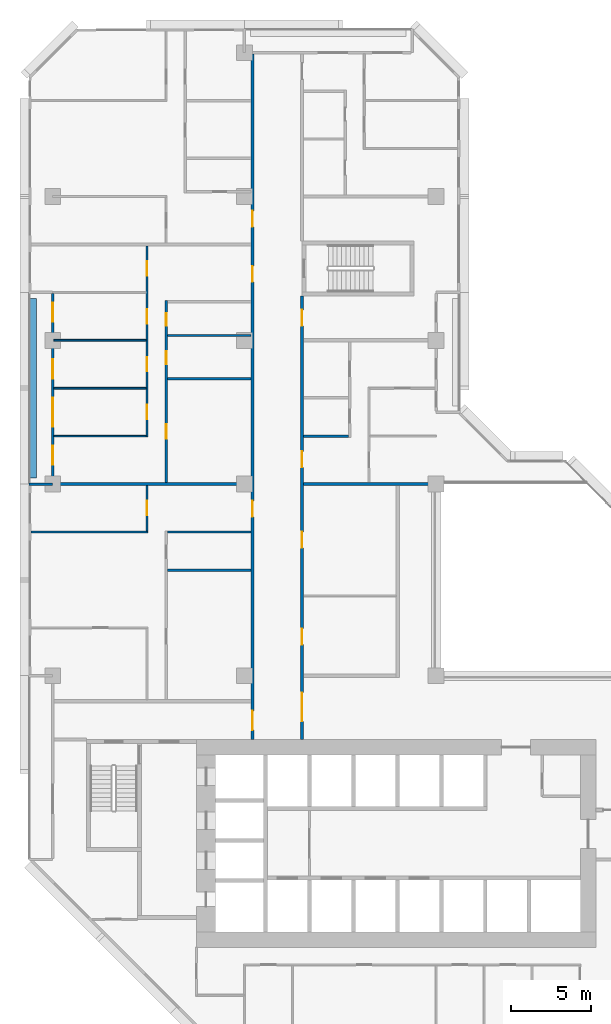
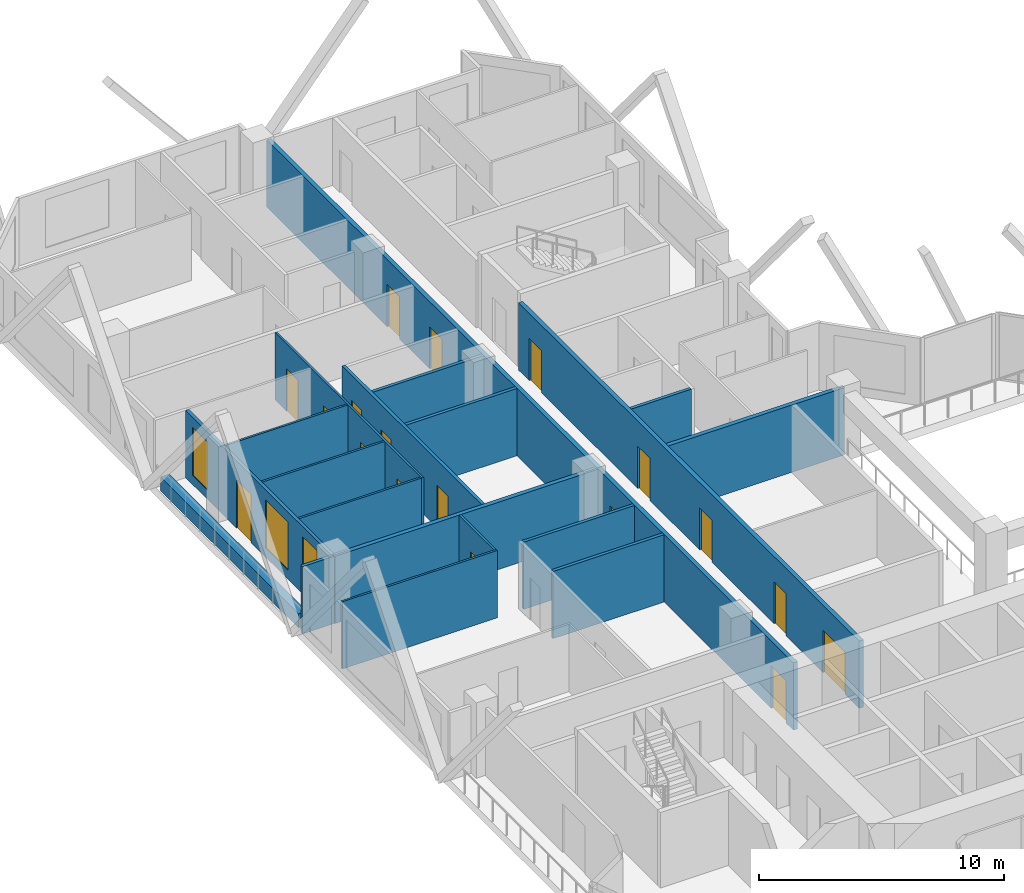
# One storey, part 9 of 16: 19 walls, 18 doors, 3 windows, 21 openings.
"""IFC4 building model written with IfcOpenShell, lengths in metres."""

from ifc_helpers import new_model, si_unit, direction, frame, frame_2d, origin, place, context, subcontext, project, spatial, rectangle, extrude, material, layer, layer_set, type_object, element, fill, save


model = new_model("IFC4")

# Units and contexts
model_context = context("Model", 3, precision=1e-05, world=origin(), true_north=direction((0.0, 1.0)))
body_context = subcontext(model_context, "Body", "Model", "MODEL_VIEW")
ifc_project = project(units=[si_unit("LENGTHUNIT", "METRE"), si_unit("AREAUNIT", "SQUARE_METRE"), si_unit("VOLUMEUNIT", "CUBIC_METRE"), si_unit("PLANEANGLEUNIT", "RADIAN"), si_unit("MASSUNIT", "GRAM", prefix="KILO")], contexts=[model_context])

# Site, building, storey
site_placement = place(None, origin())
site = spatial("IfcSite", under=ifc_project, at=site_placement, CompositionType="ELEMENT")
building_placement = place(site_placement, origin())
building = spatial("IfcBuilding", under=site, at=building_placement, Name="Chenar Terraces", CompositionType="ELEMENT")
storey_placement = place(building_placement, frame((0.0, 0.0, 99.39990234375)))
storey = spatial("IfcBuildingStorey", under=building, at=storey_placement, Name="L22", CompositionType="ELEMENT", Elevation=99.39990234375)

# Wall, openings, doors
ifc_material_1 = material(Name="Gypsum board on steel studs with fire boards", Category="steel")
ifc_layer_1 = layer(ifc_material_1, 0.199951171875)
ifc_layer_set_1 = layer_set([ifc_layer_1], Name="Gypsum board on steel studs with fire boards")
wall_type_1 = type_object("IfcWallType", Name="Corridor wall 200", PredefinedType="PARTITIONING", material=ifc_layer_set_1)
wall_1_placement = place(storey_placement, frame((12.5, 20.0, 0.0), z_axis=(0.0, 0.0, 1.0), x_axis=(0.0, 1.0, 0.0)))
wall_1 = element("IfcWall", 1, at=wall_1_placement, inside=storey, type_object=wall_type_1, Name="Partition L22-034", PredefinedType="PARTITIONING", context=body_context, shape_type="SweptSolid", body=[
    extrude(rectangle(XDim=42.926025390625, YDim=0.199951171875, at=frame_2d((21.462890625, 0.0))), origin(), (0.0, 0.0, 1.0), 3.35009765625),
])
opening_1_placement = place(wall_1_placement, frame((28.64990234375, 0.0, 0.0)))
opening_1 = element("IfcOpeningElement", 2, at=opening_1_placement, cuts=wall_1, Name="Opening DL22-40", PredefinedType="OPENING", context=body_context, shape_type="SweptSolid", body=[
    extrude(rectangle(XDim=1.0, YDim=2.10009765625, at=frame_2d((0.5, 1.050048828125))), frame((0.0, 0.10986328125, 0.0), z_axis=(0.0, -1.0, 0.0), x_axis=(1.0, 0.0, 0.0)), (0.0, 0.0, 1.0), 0.219970703125),
])
opening_2_placement = place(wall_1_placement, frame((32.10009765625, 0.0, 0.0)))
opening_2 = element("IfcOpeningElement", 3, at=opening_2_placement, cuts=wall_1, Name="Opening DL22-46", PredefinedType="OPENING", context=body_context, shape_type="SweptSolid", body=[
    extrude(rectangle(XDim=1.0, YDim=2.10009765625, at=frame_2d((0.5, 1.050048828125))), frame((0.0, 0.10986328125, 0.0), z_axis=(0.0, -1.0, 0.0), x_axis=(1.0, 0.0, 0.0)), (0.0, 0.0, 1.0), 0.219970703125),
])
opening_3_placement = place(wall_1_placement, frame((0.60009765625, 0.0, 0.0)))
opening_3 = element("IfcOpeningElement", 4, at=opening_3_placement, cuts=wall_1, Name="Opening DL22-50", PredefinedType="OPENING", context=body_context, shape_type="SweptSolid", body=[
    extrude(rectangle(XDim=1.199951171875, YDim=2.10009765625, at=frame_2d((0.60009765625, 1.050048828125))), frame((0.0, 0.10986328125, 0.0), z_axis=(0.0, -1.0, 0.0), x_axis=(1.0, 0.0, 0.0)), (0.0, 0.0, 1.0), 0.219970703125),
])
opening_4_placement = place(wall_1_placement, frame((13.949951171875, 0.0, 0.0)))
opening_4 = element("IfcOpeningElement", 5, at=opening_4_placement, cuts=wall_1, Name="Opening DL22-73", PredefinedType="OPENING", context=body_context, shape_type="SweptSolid", body=[
    extrude(rectangle(XDim=1.0, YDim=2.10009765625, at=frame_2d((0.5, 1.050048828125))), frame((0.0, 0.10986328125, 0.0), z_axis=(0.0, -1.0, 0.0), x_axis=(1.0, 0.0, 0.0)), (0.0, 0.0, 1.0), 0.219970703125),
])
ifc_material_2 = material(Name="Steel-framed fire-resisting door leaf", Category="steel")
door_type_1 = type_object("IfcDoorType", Name="Fire door FD30S 1000 x 2100", OperationType="SINGLE_SWING_LEFT", PredefinedType="DOOR", material=ifc_material_2)
door_1_placement = place(opening_1_placement, origin())
door_1 = element("IfcDoor", 6, at=door_1_placement, inside=storey, type_object=door_type_1, Name="Door DL22-40", OperationType="SINGLE_SWING_LEFT", OverallHeight=2.10009765625, OverallWidth=1.0, PredefinedType="DOOR", context=body_context, shape_type="SweptSolid", body=[
    extrude(rectangle(XDim=1.0, YDim=2.10009765625, at=frame_2d((0.5, 1.050048828125))), frame((0.0, 0.02490234375, 0.0), z_axis=(0.0, -1.0, 0.0), x_axis=(1.0, 0.0, 0.0)), (0.0, 0.0, 1.0), 0.050048828125),
])
fill(opening_1, door_1)
door_2_placement = place(opening_2_placement, origin())
door_2 = element("IfcDoor", 7, at=door_2_placement, inside=storey, type_object=door_type_1, Name="Door DL22-46", OperationType="SINGLE_SWING_RIGHT", OverallHeight=2.10009765625, OverallWidth=1.0, PredefinedType="DOOR", context=body_context, shape_type="SweptSolid", body=[
    extrude(rectangle(XDim=1.0, YDim=2.10009765625, at=frame_2d((0.5, 1.050048828125))), frame((0.0, 0.02490234375, 0.0), z_axis=(0.0, -1.0, 0.0), x_axis=(1.0, 0.0, 0.0)), (0.0, 0.0, 1.0), 0.050048828125),
])
fill(opening_2, door_2)
door_3_placement = place(opening_4_placement, origin())
door_3 = element("IfcDoor", 8, at=door_3_placement, inside=storey, type_object=door_type_1, Name="Door DL22-73", OperationType="SINGLE_SWING_RIGHT", OverallHeight=2.10009765625, OverallWidth=1.0, PredefinedType="DOOR", context=body_context, shape_type="SweptSolid", body=[
    extrude(rectangle(XDim=1.0, YDim=2.10009765625, at=frame_2d((0.5, 1.050048828125))), frame((0.0, 0.02490234375, 0.0), z_axis=(0.0, -1.0, 0.0), x_axis=(1.0, 0.0, 0.0)), (0.0, 0.0, 1.0), 0.050048828125),
])
fill(opening_4, door_3)
ifc_material_3 = material(Name="Steel-framed fire-resisting door leaf", Category="steel")
door_type_2 = type_object("IfcDoorType", Name="Fire door FD30S 1200 x 2100", OperationType="SINGLE_SWING_LEFT", PredefinedType="DOOR", material=ifc_material_3)
door_4_placement = place(opening_3_placement, origin())
door_4 = element("IfcDoor", 9, at=door_4_placement, inside=storey, type_object=door_type_2, Name="Door DL22-50", OperationType="SINGLE_SWING_RIGHT", OverallHeight=2.10009765625, OverallWidth=1.199951171875, PredefinedType="DOOR", context=body_context, shape_type="SweptSolid", body=[
    extrude(rectangle(XDim=1.199951171875, YDim=2.10009765625, at=frame_2d((0.60009765625, 1.050048828125))), frame((0.0, 0.02490234375, 0.0), z_axis=(0.0, -1.0, 0.0), x_axis=(1.0, 0.0, 0.0)), (0.0, 0.0, 1.0), 0.050048828125),
])
fill(opening_3, door_4)

wall_2_placement = place(storey_placement, frame((15.60009765625, 20.0, 0.0), z_axis=(0.0, 0.0, 1.0), x_axis=(0.0, 1.0, 0.0)))
wall_2 = element("IfcWall", 10, at=wall_2_placement, inside=storey, type_object=wall_type_1, Name="Partition L22-036", PredefinedType="PARTITIONING", context=body_context, shape_type="SweptSolid", body=[
    extrude(rectangle(XDim=27.77490234375, YDim=0.199951171875, at=frame_2d((13.887451171875, 0.0))), origin(), (0.0, 0.0, 1.0), 3.35009765625),
])
opening_5_placement = place(wall_2_placement, frame((5.949951171875, 0.0, 0.0)))
opening_5 = element("IfcOpeningElement", 11, at=opening_5_placement, cuts=wall_2, Name="Opening DL22-1", PredefinedType="OPENING", context=body_context, shape_type="SweptSolid", body=[
    extrude(rectangle(XDim=1.0, YDim=2.10009765625, at=frame_2d((0.5, 1.050048828125))), frame((0.0, 0.10986328125, 0.0), z_axis=(0.0, -1.0, 0.0), x_axis=(1.0, 0.0, 0.0)), (0.0, 0.0, 1.0), 0.219970703125),
])
opening_6_placement = place(wall_2_placement, frame((12.0, 0.0, 0.0)))
opening_6 = element("IfcOpeningElement", 12, at=opening_6_placement, cuts=wall_2, Name="Opening DL22-2", PredefinedType="OPENING", context=body_context, shape_type="SweptSolid", body=[
    extrude(rectangle(XDim=1.0, YDim=2.10009765625, at=frame_2d((0.5, 1.050048828125))), frame((0.0, 0.10986328125, 0.0), z_axis=(0.0, -1.0, 0.0), x_axis=(1.0, 0.0, 0.0)), (0.0, 0.0, 1.0), 0.219970703125),
])
opening_7_placement = place(wall_2_placement, frame((17.050048828125, 0.0, 0.0)))
opening_7 = element("IfcOpeningElement", 13, at=opening_7_placement, cuts=wall_2, Name="Opening DL22-28", PredefinedType="OPENING", context=body_context, shape_type="SweptSolid", body=[
    extrude(rectangle(XDim=1.0, YDim=2.10009765625, at=frame_2d((0.5, 1.050048828125))), frame((0.0, 0.10986328125, 0.0), z_axis=(0.0, -1.0, 0.0), x_axis=(1.0, 0.0, 0.0)), (0.0, 0.0, 1.0), 0.219970703125),
])
opening_8_placement = place(wall_2_placement, frame((1.14990234375, 0.0, 0.0)))
opening_8 = element("IfcOpeningElement", 14, at=opening_8_placement, cuts=wall_2, Name="Opening DL22-49", PredefinedType="OPENING", context=body_context, shape_type="SweptSolid", body=[
    extrude(rectangle(XDim=1.800048828125, YDim=2.10009765625, at=frame_2d((0.89990234375, 1.050048828125))), frame((0.0, 0.10986328125, 0.0), z_axis=(0.0, -1.0, 0.0), x_axis=(1.0, 0.0, 0.0)), (0.0, 0.0, 1.0), 0.219970703125),
])
opening_9_placement = place(wall_2_placement, frame((25.89990234375, 0.0, 0.0)))
opening_9 = element("IfcOpeningElement", 15, at=opening_9_placement, cuts=wall_2, Name="Opening DL22-52", PredefinedType="OPENING", context=body_context, shape_type="SweptSolid", body=[
    extrude(rectangle(XDim=1.0, YDim=2.10009765625, at=frame_2d((0.5, 1.050048828125))), frame((0.0, 0.10986328125, 0.0), z_axis=(0.0, -1.0, 0.0), x_axis=(1.0, 0.0, 0.0)), (0.0, 0.0, 1.0), 0.219970703125),
])
ifc_material_4 = material(Name="Steel-framed fire-resisting door leaf", Category="steel")
door_type_3 = type_object("IfcDoorType", Name="Fire door FD60 1000 x 2100", OperationType="SINGLE_SWING_LEFT", PredefinedType="DOOR", material=ifc_material_4)
door_5_placement = place(opening_5_placement, frame((1.0, 0.0, 0.0), z_axis=(0.0, 0.0, 1.0), x_axis=(-1.0, 0.0, 0.0)))
door_5 = element("IfcDoor", 16, at=door_5_placement, inside=storey, type_object=door_type_3, Name="Door DL22-1", OperationType="SINGLE_SWING_LEFT", OverallHeight=2.10009765625, OverallWidth=1.0, PredefinedType="DOOR", context=body_context, shape_type="SweptSolid", body=[
    extrude(rectangle(XDim=1.0, YDim=2.10009765625, at=frame_2d((0.5, 1.050048828125))), frame((0.0, 0.02490234375, 0.0), z_axis=(0.0, -1.0, 0.0), x_axis=(1.0, 0.0, 0.0)), (0.0, 0.0, 1.0), 0.050048828125),
])
fill(opening_5, door_5)
door_6_placement = place(opening_6_placement, frame((1.0, 0.0, 0.0), z_axis=(0.0, 0.0, 1.0), x_axis=(-1.0, 0.0, 0.0)))
door_6 = element("IfcDoor", 17, at=door_6_placement, inside=storey, type_object=door_type_3, Name="Door DL22-2", OperationType="SINGLE_SWING_LEFT", OverallHeight=2.10009765625, OverallWidth=1.0, PredefinedType="DOOR", context=body_context, shape_type="SweptSolid", body=[
    extrude(rectangle(XDim=1.0, YDim=2.10009765625, at=frame_2d((0.5, 1.050048828125))), frame((0.0, 0.02490234375, 0.0), z_axis=(0.0, -1.0, 0.0), x_axis=(1.0, 0.0, 0.0)), (0.0, 0.0, 1.0), 0.050048828125),
])
fill(opening_6, door_6)
door_7_placement = place(opening_7_placement, frame((1.0, 0.0, 0.0), z_axis=(0.0, 0.0, 1.0), x_axis=(-1.0, 0.0, 0.0)))
door_7 = element("IfcDoor", 18, at=door_7_placement, inside=storey, type_object=door_type_3, Name="Door DL22-28", OperationType="SINGLE_SWING_LEFT", OverallHeight=2.10009765625, OverallWidth=1.0, PredefinedType="DOOR", context=body_context, shape_type="SweptSolid", body=[
    extrude(rectangle(XDim=1.0, YDim=2.10009765625, at=frame_2d((0.5, 1.050048828125))), frame((0.0, 0.02490234375, 0.0), z_axis=(0.0, -1.0, 0.0), x_axis=(1.0, 0.0, 0.0)), (0.0, 0.0, 1.0), 0.050048828125),
])
fill(opening_7, door_7)
door_8_placement = place(opening_9_placement, frame((1.0, 0.0, 0.0), z_axis=(0.0, 0.0, 1.0), x_axis=(-1.0, 0.0, 0.0)))
door_8 = element("IfcDoor", 19, at=door_8_placement, inside=storey, type_object=door_type_3, Name="Door DL22-52", OperationType="SINGLE_SWING_RIGHT", OverallHeight=2.10009765625, OverallWidth=1.0, PredefinedType="DOOR", context=body_context, shape_type="SweptSolid", body=[
    extrude(rectangle(XDim=1.0, YDim=2.10009765625, at=frame_2d((0.5, 1.050048828125))), frame((0.0, 0.02490234375, 0.0), z_axis=(0.0, -1.0, 0.0), x_axis=(1.0, 0.0, 0.0)), (0.0, 0.0, 1.0), 0.050048828125),
])
fill(opening_9, door_8)
ifc_material_5 = material(Name="Steel-framed fire-resisting door leaf", Category="steel")
door_type_4 = type_object("IfcDoorType", Name="Fire double door FD60 1800 x 2100", OperationType="DOUBLE_DOOR_SINGLE_SWING", PredefinedType="DOOR", material=ifc_material_5)
door_9_placement = place(opening_8_placement, frame((1.800048828125, 0.0, 0.0), z_axis=(0.0, 0.0, 1.0), x_axis=(-1.0, 0.0, 0.0)))
door_9 = element("IfcDoor", 20, at=door_9_placement, inside=storey, type_object=door_type_4, Name="Door DL22-49", OperationType="DOUBLE_DOOR_SINGLE_SWING", OverallHeight=2.10009765625, OverallWidth=1.800048828125, PredefinedType="DOOR", context=body_context, shape_type="SweptSolid", body=[
    extrude(rectangle(XDim=1.800048828125, YDim=2.10009765625, at=frame_2d((0.89990234375, 1.050048828125))), frame((0.0, 0.02490234375, 0.0), z_axis=(0.0, -1.0, 0.0), x_axis=(1.0, 0.0, 0.0)), (0.0, 0.0, 1.0), 0.050048828125),
])
fill(opening_8, door_9)

# Wall, openings, windows, door
ifc_material_6 = material(Name="Aluminium framed glazing", Category="aluminium")
ifc_layer_2 = layer(ifc_material_6, 0.14990234375)
ifc_layer_set_2 = layer_set([ifc_layer_2], Name="Aluminium framed glazing")
wall_type_2 = type_object("IfcWallType", Name="Glazed loggia back wall 150", PredefinedType="SOLIDWALL", material=ifc_layer_set_2)
wall_3_placement = place(storey_placement, frame((0.0, 47.925048828125, 0.0), z_axis=(0.0, 0.0, 1.0), x_axis=(0.0, -1.0, 0.0)))
wall_3 = element("IfcWall", 21, at=wall_3_placement, inside=storey, type_object=wall_type_2, Name="Glazed loggia back wall", PredefinedType="SOLIDWALL", context=body_context, shape_type="SweptSolid", body=[
    extrude(rectangle(XDim=11.85009765625, YDim=0.14990234375, at=frame_2d((5.925048828125, 0.0))), origin(), (0.0, 0.0, 1.0), 3.35009765625),
])
opening_10_placement = place(wall_3_placement, frame((0.5625, 0.0, 0.449951171875)))
opening_10 = element("IfcOpeningElement", 22, at=opening_10_placement, cuts=wall_3, Name="Opening W120x240", PredefinedType="OPENING", context=body_context, shape_type="SweptSolid", body=[
    extrude(rectangle(XDim=1.199951171875, YDim=2.39990234375, at=frame_2d((0.60009765625, 1.199951171875))), frame((0.0, 0.0849609375, 0.0), z_axis=(0.0, -1.0, 0.0), x_axis=(1.0, 0.0, 0.0)), (0.0, 0.0, 1.0), 0.169921875),
])
opening_11_placement = place(wall_3_placement, frame((4.125, 0.0, 0.0)))
opening_11 = element("IfcOpeningElement", 23, at=opening_11_placement, cuts=wall_3, Name="Opening DL22-G4", PredefinedType="OPENING", context=body_context, shape_type="SweptSolid", body=[
    extrude(rectangle(XDim=1.199951171875, YDim=2.39990234375, at=frame_2d((0.60009765625, 1.199951171875))), frame((0.0, 0.0849609375, 0.0), z_axis=(0.0, -1.0, 0.0), x_axis=(1.0, 0.0, 0.0)), (0.0, 0.0, 1.0), 0.169921875),
])
opening_12_placement = place(wall_3_placement, frame((6.52490234375, 0.0, 0.449951171875)))
opening_12 = element("IfcOpeningElement", 24, at=opening_12_placement, cuts=wall_3, Name="Opening W180x240", PredefinedType="OPENING", context=body_context, shape_type="SweptSolid", body=[
    extrude(rectangle(XDim=1.800048828125, YDim=2.39990234375, at=frame_2d((0.89990234375, 1.199951171875))), frame((0.0, 0.0849609375, 0.0), z_axis=(0.0, -1.0, 0.0), x_axis=(1.0, 0.0, 0.0)), (0.0, 0.0, 1.0), 0.169921875),
])
opening_13_placement = place(wall_3_placement, frame((9.52490234375, 0.0, 0.449951171875)))
opening_13 = element("IfcOpeningElement", 25, at=opening_13_placement, cuts=wall_3, Name="Opening W120x240", PredefinedType="OPENING", context=body_context, shape_type="SweptSolid", body=[
    extrude(rectangle(XDim=1.199951171875, YDim=2.39990234375, at=frame_2d((0.60009765625, 1.199951171875))), frame((0.0, 0.0849609375, 0.0), z_axis=(0.0, -1.0, 0.0), x_axis=(1.0, 0.0, 0.0)), (0.0, 0.0, 1.0), 0.169921875),
])
ifc_material_7 = material(Name="Low emissivity double glazing, aluminium frame", Category="aluminium")
window_type_1 = type_object("IfcWindowType", Name="Fixed light 1200 x 2400", PartitioningType="SINGLE_PANEL", PredefinedType="WINDOW", material=ifc_material_7)
window_1_placement = place(opening_10_placement, origin())
window_1 = element("IfcWindow", 26, at=window_1_placement, inside=storey, type_object=window_type_1, Name="Window", OverallHeight=2.39990234375, OverallWidth=1.199951171875, PartitioningType="SINGLE_PANEL", PredefinedType="WINDOW", context=body_context, shape_type="SweptSolid", body=[
    extrude(rectangle(XDim=1.199951171875, YDim=2.39990234375, at=frame_2d((0.60009765625, 1.199951171875))), frame((0.0, 0.030029296875, 0.0), z_axis=(0.0, -1.0, 0.0), x_axis=(1.0, 0.0, 0.0)), (0.0, 0.0, 1.0), 0.06005859375),
])
fill(opening_10, window_1)
window_2_placement = place(opening_13_placement, origin())
window_2 = element("IfcWindow", 27, at=window_2_placement, inside=storey, type_object=window_type_1, Name="Window", OverallHeight=2.39990234375, OverallWidth=1.199951171875, PartitioningType="SINGLE_PANEL", PredefinedType="WINDOW", context=body_context, shape_type="SweptSolid", body=[
    extrude(rectangle(XDim=1.199951171875, YDim=2.39990234375, at=frame_2d((0.60009765625, 1.199951171875))), frame((0.0, 0.030029296875, 0.0), z_axis=(0.0, -1.0, 0.0), x_axis=(1.0, 0.0, 0.0)), (0.0, 0.0, 1.0), 0.06005859375),
])
fill(opening_13, window_2)
ifc_material_8 = material(Name="Low emissivity double glazing, aluminium frame", Category="aluminium")
window_type_2 = type_object("IfcWindowType", Name="Fixed light 1800 x 2400", PartitioningType="SINGLE_PANEL", PredefinedType="WINDOW", material=ifc_material_8)
window_3_placement = place(opening_12_placement, origin())
window_3 = element("IfcWindow", 28, at=window_3_placement, inside=storey, type_object=window_type_2, Name="Window", OverallHeight=2.39990234375, OverallWidth=1.800048828125, PartitioningType="SINGLE_PANEL", PredefinedType="WINDOW", context=body_context, shape_type="SweptSolid", body=[
    extrude(rectangle(XDim=1.800048828125, YDim=2.39990234375, at=frame_2d((0.89990234375, 1.199951171875))), frame((0.0, 0.030029296875, 0.0), z_axis=(0.0, -1.0, 0.0), x_axis=(1.0, 0.0, 0.0)), (0.0, 0.0, 1.0), 0.06005859375),
])
fill(opening_12, window_3)
ifc_material_9 = material(Name="Low emissivity double glazing, aluminium frame", Category="aluminium")
door_type_5 = type_object("IfcDoorType", Name="Loggia glazed double door 1200 x 2400", OperationType="DOUBLE_DOOR_SINGLE_SWING", PredefinedType="DOOR", material=ifc_material_9)
door_10_placement = place(opening_11_placement, frame((1.199951171875, 0.0, 0.0), z_axis=(0.0, 0.0, 1.0), x_axis=(-1.0, 0.0, 0.0)))
door_10 = element("IfcDoor", 29, at=door_10_placement, inside=storey, type_object=door_type_5, Name="Loggia glazed door", OperationType="DOUBLE_DOOR_SINGLE_SWING", OverallHeight=2.39990234375, OverallWidth=1.199951171875, PredefinedType="DOOR", context=body_context, shape_type="SweptSolid", body=[
    extrude(rectangle(XDim=1.199951171875, YDim=2.39990234375, at=frame_2d((0.60009765625, 1.199951171875))), frame((0.0, 0.02490234375, 0.0), z_axis=(0.0, -1.0, 0.0), x_axis=(1.0, 0.0, 0.0)), (0.0, 0.0, 1.0), 0.050048828125),
])
fill(opening_11, door_10)

# Walls
ifc_material_10 = material(Name="Gypsum board on steel studs", Category="steel")
ifc_layer_3 = layer(ifc_material_10, 0.10009765625)
ifc_layer_set_3 = layer_set([ifc_layer_3], Name="Gypsum board on steel studs")
wall_type_3 = type_object("IfcWallType", Name="Gypsum partition 100", PredefinedType="PARTITIONING", material=ifc_layer_set_3)
wall_4_placement = place(storey_placement, frame((-1.35009765625, 33.0, 0.0), z_axis=(0.0, 0.0, 1.0), x_axis=(1.0, 0.0, 0.0)))
element("IfcWall", 30, at=wall_4_placement, inside=storey, type_object=wall_type_3, Name="Partition L22-002", PredefinedType="PARTITIONING", context=body_context, shape_type="SweptSolid", body=[
    extrude(rectangle(XDim=7.300048828125, YDim=0.10009765625, at=frame_2d((3.64990234375, 0.0))), origin(), (0.0, 0.0, 1.0), 3.35009765625),
])
for number, where, z_axis, x_axis, name in (
    (31, (0.073974609375, 39.0, 0.0), (0.0, 0.0, 1.0), (1.0, 0.0, 0.0), "Partition L22-010"),
    (32, (0.073974609375, 42.0, 0.0), (0.0, 0.0, 1.0), (1.0, 0.0, 0.0), "Partition L22-011"),
    (33, (0.073974609375, 45.0, 0.0), (0.0, 0.0, 1.0), (1.0, 0.0, 0.0), "Partition L22-012"),
):
    element("IfcWall", number, at=place(storey_placement, frame(where, z_axis=z_axis, x_axis=x_axis)), inside=storey, type_object=wall_type_3, Name=name, PredefinedType="PARTITIONING", context=body_context, shape_type="SweptSolid", body=[
        extrude(rectangle(XDim=5.776123046875, YDim=0.10009765625, at=frame_2d((2.88818359375, 0.0))), origin(), (0.0, 0.0, 1.0), 3.35009765625),
    ])

# Wall, opening, door
wall_5_placement = place(storey_placement, frame((5.89990234375, 33.050048828125, 0.0), z_axis=(0.0, 0.0, 1.0), x_axis=(0.0, 1.0, 0.0)))
wall_5 = element("IfcWall", 34, at=wall_5_placement, inside=storey, type_object=wall_type_3, Name="Partition L22-015", PredefinedType="PARTITIONING", context=body_context, shape_type="SweptSolid", body=[
    extrude(rectangle(XDim=2.849853515625, YDim=0.10009765625, at=frame_2d((1.4248046875, 0.0))), origin(), (0.0, 0.0, 1.0), 3.35009765625),
])
opening_14_placement = place(wall_5_placement, frame((1.0, 0.0, 0.0)))
opening_14 = element("IfcOpeningElement", 35, at=opening_14_placement, cuts=wall_5, Name="Opening DL22-71", PredefinedType="OPENING", context=body_context, shape_type="SweptSolid", body=[
    extrude(rectangle(XDim=0.89990234375, YDim=2.10009765625, at=frame_2d((0.449951171875, 1.050048828125))), frame((0.0, 0.06005859375, 0.0), z_axis=(0.0, -1.0, 0.0), x_axis=(1.0, 0.0, 0.0)), (0.0, 0.0, 1.0), 0.1201171875),
])
ifc_material_11 = material(Name="Veneered timber door leaf", Category="wood")
door_type_6 = type_object("IfcDoorType", Name="Door 900 x 2100", OperationType="SINGLE_SWING_LEFT", PredefinedType="DOOR", material=ifc_material_11)
door_11_placement = place(opening_14_placement, origin())
door_11 = element("IfcDoor", 36, at=door_11_placement, inside=storey, type_object=door_type_6, Name="Door DL22-71", OperationType="SINGLE_SWING_RIGHT", OverallHeight=2.10009765625, OverallWidth=0.89990234375, PredefinedType="DOOR", context=body_context, shape_type="SweptSolid", body=[
    extrude(rectangle(XDim=0.89990234375, YDim=2.10009765625, at=frame_2d((0.449951171875, 1.050048828125))), frame((0.0, 0.02490234375, 0.0), z_axis=(0.0, -1.0, 0.0), x_axis=(1.0, 0.0, 0.0)), (0.0, 0.0, 1.0), 0.050048828125),
])
fill(opening_14, door_11)

# Wall, openings, doors
wall_6_placement = place(storey_placement, frame((5.89990234375, 38.949951171875, 0.0), z_axis=(0.0, 0.0, 1.0), x_axis=(0.0, 1.0, 0.0)))
wall_6 = element("IfcWall", 37, at=wall_6_placement, inside=storey, type_object=wall_type_3, Name="Partition L22-016", PredefinedType="PARTITIONING", context=body_context, shape_type="SweptSolid", body=[
    extrude(rectangle(XDim=11.949951171875, YDim=0.10009765625, at=frame_2d((5.97509765625, 0.0))), origin(), (0.0, 0.0, 1.0), 3.35009765625),
])
opening_15_placement = place(wall_6_placement, frame((1.10009765625, 0.0, 0.0)))
opening_15 = element("IfcOpeningElement", 38, at=opening_15_placement, cuts=wall_6, Name="Opening DL22-35", PredefinedType="OPENING", context=body_context, shape_type="SweptSolid", body=[
    extrude(rectangle(XDim=0.89990234375, YDim=2.10009765625, at=frame_2d((0.449951171875, 1.050048828125))), frame((0.0, 0.06005859375, 0.0), z_axis=(0.0, -1.0, 0.0), x_axis=(1.0, 0.0, 0.0)), (0.0, 0.0, 1.0), 0.1201171875),
])
opening_16_placement = place(wall_6_placement, frame((4.10009765625, 0.0, 0.0)))
opening_16 = element("IfcOpeningElement", 39, at=opening_16_placement, cuts=wall_6, Name="Opening DL22-36", PredefinedType="OPENING", context=body_context, shape_type="SweptSolid", body=[
    extrude(rectangle(XDim=0.89990234375, YDim=2.10009765625, at=frame_2d((0.449951171875, 1.050048828125))), frame((0.0, 0.06005859375, 0.0), z_axis=(0.0, -1.0, 0.0), x_axis=(1.0, 0.0, 0.0)), (0.0, 0.0, 1.0), 0.1201171875),
])
opening_17_placement = place(wall_6_placement, frame((7.10009765625, 0.0, 0.0)))
opening_17 = element("IfcOpeningElement", 40, at=opening_17_placement, cuts=wall_6, Name="Opening DL22-37", PredefinedType="OPENING", context=body_context, shape_type="SweptSolid", body=[
    extrude(rectangle(XDim=0.89990234375, YDim=2.10009765625, at=frame_2d((0.449951171875, 1.050048828125))), frame((0.0, 0.06005859375, 0.0), z_axis=(0.0, -1.0, 0.0), x_axis=(1.0, 0.0, 0.0)), (0.0, 0.0, 1.0), 0.1201171875),
])
opening_18_placement = place(wall_6_placement, frame((10.10009765625, 0.0, 0.0)))
opening_18 = element("IfcOpeningElement", 41, at=opening_18_placement, cuts=wall_6, Name="Opening DL22-41", PredefinedType="OPENING", context=body_context, shape_type="SweptSolid", body=[
    extrude(rectangle(XDim=0.89990234375, YDim=2.10009765625, at=frame_2d((0.449951171875, 1.050048828125))), frame((0.0, 0.06005859375, 0.0), z_axis=(0.0, -1.0, 0.0), x_axis=(1.0, 0.0, 0.0)), (0.0, 0.0, 1.0), 0.1201171875),
])
door_12_placement = place(opening_15_placement, origin())
door_12 = element("IfcDoor", 42, at=door_12_placement, inside=storey, type_object=door_type_6, Name="Door DL22-35", OperationType="SINGLE_SWING_LEFT", OverallHeight=2.10009765625, OverallWidth=0.89990234375, PredefinedType="DOOR", context=body_context, shape_type="SweptSolid", body=[
    extrude(rectangle(XDim=0.89990234375, YDim=2.10009765625, at=frame_2d((0.449951171875, 1.050048828125))), frame((0.0, 0.02490234375, 0.0), z_axis=(0.0, -1.0, 0.0), x_axis=(1.0, 0.0, 0.0)), (0.0, 0.0, 1.0), 0.050048828125),
])
fill(opening_15, door_12)
door_13_placement = place(opening_16_placement, origin())
door_13 = element("IfcDoor", 43, at=door_13_placement, inside=storey, type_object=door_type_6, Name="Door DL22-36", OperationType="SINGLE_SWING_LEFT", OverallHeight=2.10009765625, OverallWidth=0.89990234375, PredefinedType="DOOR", context=body_context, shape_type="SweptSolid", body=[
    extrude(rectangle(XDim=0.89990234375, YDim=2.10009765625, at=frame_2d((0.449951171875, 1.050048828125))), frame((0.0, 0.02490234375, 0.0), z_axis=(0.0, -1.0, 0.0), x_axis=(1.0, 0.0, 0.0)), (0.0, 0.0, 1.0), 0.050048828125),
])
fill(opening_16, door_13)
door_14_placement = place(opening_17_placement, origin())
door_14 = element("IfcDoor", 44, at=door_14_placement, inside=storey, type_object=door_type_6, Name="Door DL22-37", OperationType="SINGLE_SWING_LEFT", OverallHeight=2.10009765625, OverallWidth=0.89990234375, PredefinedType="DOOR", context=body_context, shape_type="SweptSolid", body=[
    extrude(rectangle(XDim=0.89990234375, YDim=2.10009765625, at=frame_2d((0.449951171875, 1.050048828125))), frame((0.0, 0.02490234375, 0.0), z_axis=(0.0, -1.0, 0.0), x_axis=(1.0, 0.0, 0.0)), (0.0, 0.0, 1.0), 0.050048828125),
])
fill(opening_17, door_14)
door_15_placement = place(opening_18_placement, origin())
door_15 = element("IfcDoor", 45, at=door_15_placement, inside=storey, type_object=door_type_6, Name="Door DL22-41", OperationType="SINGLE_SWING_RIGHT", OverallHeight=2.10009765625, OverallWidth=0.89990234375, PredefinedType="DOOR", context=body_context, shape_type="SweptSolid", body=[
    extrude(rectangle(XDim=0.89990234375, YDim=2.10009765625, at=frame_2d((0.449951171875, 1.050048828125))), frame((0.0, 0.02490234375, 0.0), z_axis=(0.0, -1.0, 0.0), x_axis=(1.0, 0.0, 0.0)), (0.0, 0.0, 1.0), 0.050048828125),
])
fill(opening_18, door_15)

# Walls
ifc_material_12 = material(Name="Terracotta cladding on insulated backing", Category="masonry")
ifc_layer_4 = layer(ifc_material_12, 0.14990234375)
ifc_layer_set_4 = layer_set([ifc_layer_4], Name="Terracotta cladding on insulated backing")
wall_type_4 = type_object("IfcWallType", Name="Loggia return wall 150", PredefinedType="SOLIDWALL", material=ifc_layer_set_4)
wall_7_placement = place(storey_placement, frame((-1.5, 36.0, 0.0), z_axis=(0.0, 0.0, 1.0), x_axis=(1.0, 0.0, 0.0)))
element("IfcWall", 46, at=wall_7_placement, inside=storey, type_object=wall_type_4, Name="Loggia return wall", PredefinedType="SOLIDWALL", context=body_context, shape_type="SweptSolid", body=[
    extrude(rectangle(XDim=1.5, YDim=0.14990234375, at=frame_2d((0.75, 0.0))), origin(), (0.0, 0.0, 1.0), 3.35009765625),
])
ifc_material_13 = material(Name="Twin gypsum board on steel studs with mineral wool", Category="steel")
ifc_layer_5 = layer(ifc_material_13, 0.199951171875)
ifc_layer_set_5 = layer_set([ifc_layer_5], Name="Twin gypsum board on steel studs with mineral wool")
wall_type_5 = type_object("IfcWallType", Name="Unit demising wall 200", PredefinedType="PARTITIONING", material=ifc_layer_set_5)
wall_8_placement = place(storey_placement, frame((0.0, 36.0, 0.0), z_axis=(0.0, 0.0, 1.0), x_axis=(1.0, 0.0, 0.0)))
element("IfcWall", 47, at=wall_8_placement, inside=storey, type_object=wall_type_5, Name="Partition L22-003", PredefinedType="PARTITIONING", context=body_context, shape_type="SweptSolid", body=[
    extrude(rectangle(XDim=12.39990234375, YDim=0.199951171875, at=frame_2d((6.199951171875, 0.0))), origin(), (0.0, 0.0, 1.0), 3.35009765625),
])
wall_9_placement = place(storey_placement, frame((15.699951171875, 36.0, 0.0), z_axis=(0.0, 0.0, 1.0), x_axis=(1.0, 0.0, 0.0)))
element("IfcWall", 48, at=wall_9_placement, inside=storey, type_object=wall_type_5, Name="Partition L22-040", PredefinedType="PARTITIONING", context=body_context, shape_type="SweptSolid", body=[
    extrude(rectangle(XDim=8.300048828125, YDim=0.199951171875, at=frame_2d((4.14990234375, 0.0))), origin(), (0.0, 0.0, 1.0), 3.35009765625),
])
ifc_material_14 = material(Name="GRP planter trough")
ifc_layer_6 = layer(ifc_material_14, 0.39990234375)
ifc_layer_set_6 = layer_set([ifc_layer_6], Name="GRP planter trough")
wall_type_6 = type_object("IfcWallType", Name="Vertical greenery planter 400", PredefinedType="SOLIDWALL", material=ifc_layer_set_6)
wall_10_placement = place(storey_placement, frame((-1.22900390625, 47.625, 0.0), z_axis=(0.0, 0.0, 1.0), x_axis=(0.0, -1.0, 0.0)))
element("IfcWall", 49, at=wall_10_placement, inside=storey, type_object=wall_type_6, Name="Vertical greenery planter", PredefinedType="SOLIDWALL", context=body_context, shape_type="SweptSolid", body=[
    extrude(rectangle(XDim=11.25, YDim=0.39990234375, at=frame_2d((5.625, 0.0))), origin(), (0.0, 0.0, 1.0), 0.7001953125),
])

# Wall, openings, doors
ifc_material_15 = material(Name="Moisture-resistant gypsum board on steel studs", Category="steel")
ifc_layer_7 = layer(ifc_material_15, 0.14990234375)
ifc_layer_set_7 = layer_set([ifc_layer_7], Name="Moisture-resistant gypsum board on steel studs")
wall_type_7 = type_object("IfcWallType", Name="Wet-room partition 150", PredefinedType="PARTITIONING", material=ifc_layer_set_7)
wall_11_placement = place(storey_placement, frame((7.10009765625, 36.10009765625, 0.0), z_axis=(0.0, 0.0, 1.0), x_axis=(0.0, 1.0, 0.0)))
wall_11 = element("IfcWall", 50, at=wall_11_placement, inside=storey, type_object=wall_type_7, Name="Partition L22-018", PredefinedType="PARTITIONING", context=body_context, shape_type="SweptSolid", body=[
    extrude(rectangle(XDim=11.375, YDim=0.14990234375, at=frame_2d((5.6875, 0.0))), origin(), (0.0, 0.0, 1.0), 3.35009765625),
])
opening_19_placement = place(wall_11_placement, frame((7.39990234375, 0.0, 0.0)))
opening_19 = element("IfcOpeningElement", 51, at=opening_19_placement, cuts=wall_11, Name="Opening DL22-34", PredefinedType="OPENING", context=body_context, shape_type="SweptSolid", body=[
    extrude(rectangle(XDim=0.800048828125, YDim=2.10009765625, at=frame_2d((0.39990234375, 1.050048828125))), frame((0.0, 0.0849609375, 0.0), z_axis=(0.0, -1.0, 0.0), x_axis=(1.0, 0.0, 0.0)), (0.0, 0.0, 1.0), 0.169921875),
])
opening_20_placement = place(wall_11_placement, frame((2.75, 0.0, 0.0)))
opening_20 = element("IfcOpeningElement", 52, at=opening_20_placement, cuts=wall_11, Name="Opening DL22-38", PredefinedType="OPENING", context=body_context, shape_type="SweptSolid", body=[
    extrude(rectangle(XDim=0.89990234375, YDim=2.10009765625, at=frame_2d((0.449951171875, 1.050048828125))), frame((0.0, 0.0849609375, 0.0), z_axis=(0.0, -1.0, 0.0), x_axis=(1.0, 0.0, 0.0)), (0.0, 0.0, 1.0), 0.169921875),
])
opening_21_placement = place(wall_11_placement, frame((9.800048828125, 0.0, 0.0)))
opening_21 = element("IfcOpeningElement", 53, at=opening_21_placement, cuts=wall_11, Name="Opening DL22-39", PredefinedType="OPENING", context=body_context, shape_type="SweptSolid", body=[
    extrude(rectangle(XDim=0.800048828125, YDim=2.10009765625, at=frame_2d((0.39990234375, 1.050048828125))), frame((0.0, 0.0849609375, 0.0), z_axis=(0.0, -1.0, 0.0), x_axis=(1.0, 0.0, 0.0)), (0.0, 0.0, 1.0), 0.169921875),
])
ifc_material_16 = material(Name="Veneered timber door leaf", Category="wood")
door_type_7 = type_object("IfcDoorType", Name="Door 800 x 2100", OperationType="SINGLE_SWING_LEFT", PredefinedType="DOOR", material=ifc_material_16)
door_16_placement = place(opening_19_placement, frame((0.800048828125, 0.0, 0.0), z_axis=(0.0, 0.0, 1.0), x_axis=(-1.0, 0.0, 0.0)))
door_16 = element("IfcDoor", 54, at=door_16_placement, inside=storey, type_object=door_type_7, Name="Door DL22-34", OperationType="SINGLE_SWING_RIGHT", OverallHeight=2.10009765625, OverallWidth=0.800048828125, PredefinedType="DOOR", context=body_context, shape_type="SweptSolid", body=[
    extrude(rectangle(XDim=0.800048828125, YDim=2.10009765625, at=frame_2d((0.39990234375, 1.050048828125))), frame((0.0, 0.02490234375, 0.0), z_axis=(0.0, -1.0, 0.0), x_axis=(1.0, 0.0, 0.0)), (0.0, 0.0, 1.0), 0.050048828125),
])
fill(opening_19, door_16)
door_17_placement = place(opening_21_placement, frame((0.800048828125, 0.0, 0.0), z_axis=(0.0, 0.0, 1.0), x_axis=(-1.0, 0.0, 0.0)))
door_17 = element("IfcDoor", 55, at=door_17_placement, inside=storey, type_object=door_type_7, Name="Door DL22-39", OperationType="SINGLE_SWING_RIGHT", OverallHeight=2.10009765625, OverallWidth=0.800048828125, PredefinedType="DOOR", context=body_context, shape_type="SweptSolid", body=[
    extrude(rectangle(XDim=0.800048828125, YDim=2.10009765625, at=frame_2d((0.39990234375, 1.050048828125))), frame((0.0, 0.02490234375, 0.0), z_axis=(0.0, -1.0, 0.0), x_axis=(1.0, 0.0, 0.0)), (0.0, 0.0, 1.0), 0.050048828125),
])
fill(opening_21, door_17)
door_18_placement = place(opening_20_placement, frame((0.89990234375, 0.0, 0.0), z_axis=(0.0, 0.0, 1.0), x_axis=(-1.0, 0.0, 0.0)))
door_18 = element("IfcDoor", 56, at=door_18_placement, inside=storey, type_object=door_type_6, Name="Door DL22-38", OperationType="SINGLE_SWING_LEFT", OverallHeight=2.10009765625, OverallWidth=0.89990234375, PredefinedType="DOOR", context=body_context, shape_type="SweptSolid", body=[
    extrude(rectangle(XDim=0.89990234375, YDim=2.10009765625, at=frame_2d((0.449951171875, 1.050048828125))), frame((0.0, 0.02490234375, 0.0), z_axis=(0.0, -1.0, 0.0), x_axis=(1.0, 0.0, 0.0)), (0.0, 0.0, 1.0), 0.050048828125),
])
fill(opening_20, door_18)

# Walls
for number, where, z_axis, x_axis, name in (
    (57, (7.175048828125, 30.60009765625, 0.0), (0.0, 0.0, 1.0), (1.0, 0.0, 0.0), "Partition L22-021"),
    (58, (7.175048828125, 33.0, 0.0), (0.0, 0.0, 1.0), (1.0, 0.0, 0.0), "Partition L22-022"),
    (59, (7.175048828125, 42.60009765625, 0.0), (0.0, 0.0, 1.0), (1.0, 0.0, 0.0), "Partition L22-023"),
    (60, (7.175048828125, 45.300048828125, 0.0), (0.0, 0.0, 1.0), (1.0, 0.0, 0.0), "Partition L22-024"),
):
    element("IfcWall", number, at=place(storey_placement, frame(where, z_axis=z_axis, x_axis=x_axis)), inside=storey, type_object=wall_type_7, Name=name, PredefinedType="PARTITIONING", context=body_context, shape_type="SweptSolid", body=[
        extrude(rectangle(XDim=5.224853515625, YDim=0.14990234375, at=frame_2d((2.6123046875, 0.0))), origin(), (0.0, 0.0, 1.0), 3.35009765625),
    ])
wall_12_placement = place(storey_placement, frame((15.699951171875, 39.0, 0.0), z_axis=(0.0, 0.0, 1.0), x_axis=(1.0, 0.0, 0.0)))
element("IfcWall", 61, at=wall_12_placement, inside=storey, type_object=wall_type_7, Name="Partition L22-041", PredefinedType="PARTITIONING", context=body_context, shape_type="SweptSolid", body=[
    extrude(rectangle(XDim=2.824951171875, YDim=0.14990234375, at=frame_2d((1.41259765625, 0.0))), origin(), (0.0, 0.0, 1.0), 3.35009765625),
])

save(model, "model.ifc")
